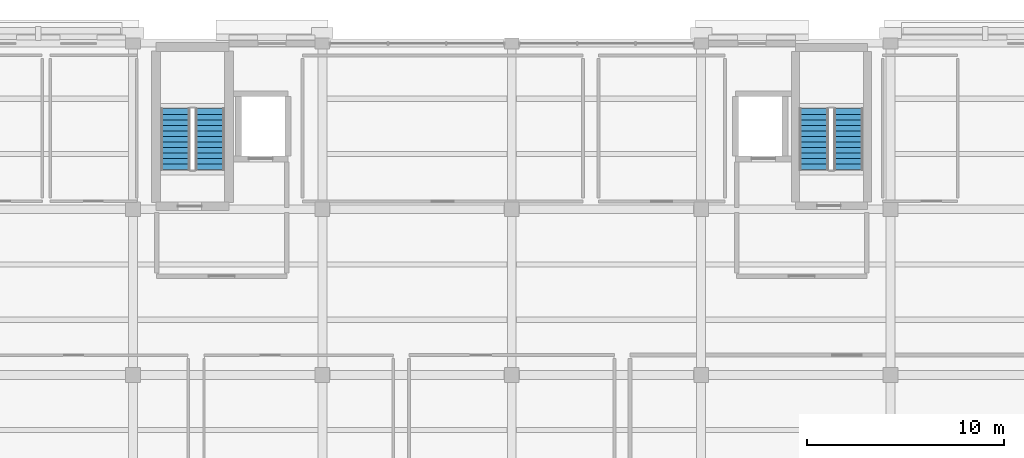
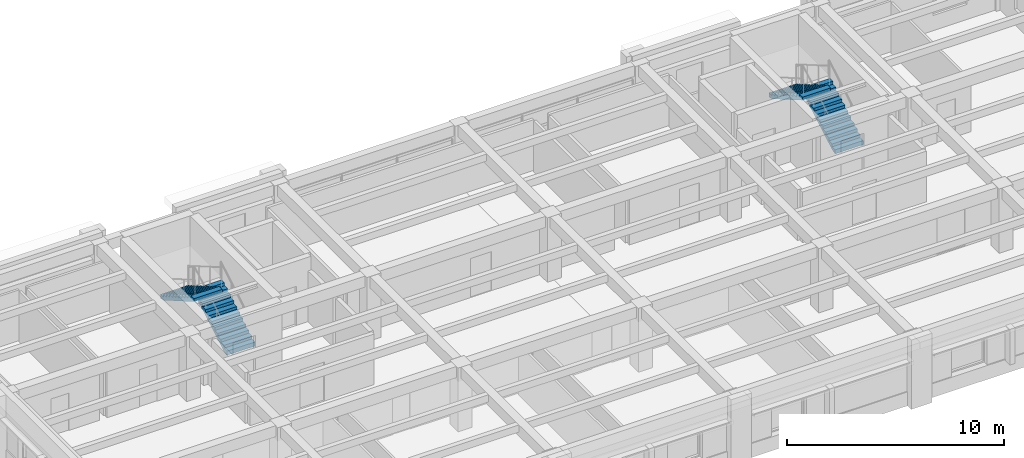
# One storey, part 8 of 12: 4 stair flights, 2 elements without a shape of their own.
"""IFC4 building model written with IfcOpenShell, lengths in metres."""

from ifc_helpers import new_model, si_unit, direction, frame, origin, place, context, subcontext, project, spatial, polyline, outline, extrude, material, type_object, element, aggregate, save


model = new_model("IFC4")

# Units and contexts
model_context = context("Model", 3, precision=1e-05, world=origin(), true_north=direction((0.0, 1.0)))
body_context = subcontext(model_context, "Body", "Model", "MODEL_VIEW")
ifc_project = project(units=[si_unit("LENGTHUNIT", "METRE"), si_unit("AREAUNIT", "SQUARE_METRE"), si_unit("VOLUMEUNIT", "CUBIC_METRE"), si_unit("PLANEANGLEUNIT", "RADIAN"), si_unit("MASSUNIT", "GRAM", prefix="KILO")], contexts=[model_context])

# Site, building, storey
site_placement = place(None, origin())
site = spatial("IfcSite", under=ifc_project, at=site_placement, CompositionType="ELEMENT")
building_placement = place(site_placement, origin())
building = spatial("IfcBuilding", under=site, at=building_placement, Name="Bempovik Park Faculty of Sciences", CompositionType="ELEMENT")
storey_placement = place(building_placement, frame((0.0, 0.0, 34.5)))
storey = spatial("IfcBuildingStorey", under=building, at=storey_placement, Name="L08", CompositionType="ELEMENT", Elevation=34.5)

# Stair, stair flights
ifc_material = material(Name="Concrete C35/45", Category="concrete")
stair_type = type_object("IfcStairType", Name="ST-17 Stair W1500 H3900", PredefinedType="HALF_TURN_STAIR", material=ifc_material)
stair_1_placement = place(storey_placement, origin())
stair_1 = element("IfcStair", 1, at=stair_1_placement, inside=storey, type_object=stair_type, Name="L08 ST-1 Dog-Leg Exit Stair", PredefinedType="HALF_TURN_STAIR")
stair_flight_type = type_object("IfcStairFlightType", Name="FL-16 Flight W1500 H3900", PredefinedType="STRAIGHT", material=ifc_material)
stair_flight_1_placement = place(storey_placement, frame((73.5, 113.0, 0.0), z_axis=(0.0, 0.0, 1.0), x_axis=(0.0, 1.0, 0.0)))
stair_flight_1 = element("IfcStairFlight", 2, at=stair_flight_1_placement, type_object=stair_flight_type, Name="ST-17 flight 1", NumberOfRisers=12, NumberOfTreads=11, PredefinedType="STRAIGHT", RiserHeight=0.1625, TreadLength=0.28125, context=body_context, shape_type="SweptSolid", body=[
    extrude(outline(polyline([(0.0, 0.0), (0.0, 0.16259765625), (0.28125, 0.16259765625), (0.28125, 0.324951171875), (0.5625, 0.324951171875), (0.5625, 0.487548828125), (0.84375, 0.487548828125), (0.84375, 0.64990234375), (1.125, 0.64990234375), (1.125, 0.8125), (1.40625, 0.8125), (1.40625, 0.97509765625), (1.6875, 0.97509765625), (1.6875, 1.137451171875), (1.96875, 1.137451171875), (1.96875, 1.300048828125), (2.25, 1.300048828125), (2.25, 1.46240234375), (2.53125, 1.46240234375), (2.53125, 1.625), (2.8125, 1.625), (2.8125, 1.78759765625), (3.09375, 1.78759765625), (3.09375, 1.949951171875), (3.09375, 1.6142578125), (0.299560546875, 0.0), (0.0625, -0.0625), (0.0, -0.0625), (0.0, 0.0)])), frame((0.0, 0.75, 0.0), z_axis=(0.0, -1.0, 0.0), x_axis=(1.0, 0.0, 0.0)), (0.0, 0.0, 1.0), 1.5),
])
stair_flight_2_placement = place(storey_placement, frame((71.75, 116.09375, 1.949951171875), z_axis=(0.0, 0.0, 1.0), x_axis=(0.0, -1.0, 0.0)))
stair_flight_2 = element("IfcStairFlight", 3, at=stair_flight_2_placement, type_object=stair_flight_type, Name="ST-17 flight 2", NumberOfRisers=12, NumberOfTreads=11, PredefinedType="STRAIGHT", RiserHeight=0.1625, TreadLength=0.28125, context=body_context, shape_type="SweptSolid", body=[
    extrude(outline(polyline([(0.0, 0.0), (0.0, 0.16259765625), (0.28125, 0.16259765625), (0.28125, 0.324951171875), (0.5625, 0.324951171875), (0.5625, 0.487548828125), (0.84375, 0.487548828125), (0.84375, 0.64990234375), (1.125, 0.64990234375), (1.125, 0.8125), (1.40625, 0.8125), (1.40625, 0.97509765625), (1.6875, 0.97509765625), (1.6875, 1.137451171875), (1.96875, 1.137451171875), (1.96875, 1.300048828125), (2.25, 1.300048828125), (2.25, 1.46240234375), (2.53125, 1.46240234375), (2.53125, 1.625), (2.8125, 1.625), (2.8125, 1.78759765625), (3.09375, 1.78759765625), (3.09375, 1.949951171875), (3.09375, 1.6142578125), (0.299560546875, 0.0), (0.0625, -0.0625), (0.0, -0.0625), (0.0, 0.0)])), frame((0.0, 0.75, 0.0), z_axis=(0.0, -1.0, 0.0), x_axis=(1.0, 0.0, 0.0)), (0.0, 0.0, 1.0), 1.5),
])
aggregate(stair_1, [stair_flight_1, stair_flight_2])

stair_2_placement = place(storey_placement, origin())
stair_2 = element("IfcStair", 4, at=stair_2_placement, inside=storey, type_object=stair_type, Name="L08 ST-2 Dog-Leg Exit Stair", PredefinedType="HALF_TURN_STAIR")
stair_flight_3_placement = place(storey_placement, frame((105.875, 113.0, 0.0), z_axis=(0.0, 0.0, 1.0), x_axis=(0.0, 1.0, 0.0)))
stair_flight_3 = element("IfcStairFlight", 5, at=stair_flight_3_placement, type_object=stair_flight_type, Name="ST-17 flight 1", NumberOfRisers=12, NumberOfTreads=11, PredefinedType="STRAIGHT", RiserHeight=0.1625, TreadLength=0.28125, context=body_context, shape_type="SweptSolid", body=[
    extrude(outline(polyline([(0.0, 0.0), (0.0, 0.16259765625), (0.28125, 0.16259765625), (0.28125, 0.324951171875), (0.5625, 0.324951171875), (0.5625, 0.487548828125), (0.84375, 0.487548828125), (0.84375, 0.64990234375), (1.125, 0.64990234375), (1.125, 0.8125), (1.40625, 0.8125), (1.40625, 0.97509765625), (1.6875, 0.97509765625), (1.6875, 1.137451171875), (1.96875, 1.137451171875), (1.96875, 1.300048828125), (2.25, 1.300048828125), (2.25, 1.46240234375), (2.53125, 1.46240234375), (2.53125, 1.625), (2.8125, 1.625), (2.8125, 1.78759765625), (3.09375, 1.78759765625), (3.09375, 1.949951171875), (3.09375, 1.6142578125), (0.299560546875, 0.0), (0.0625, -0.0625), (0.0, -0.0625), (0.0, 0.0)])), frame((0.0, 0.75, 0.0), z_axis=(0.0, -1.0, 0.0), x_axis=(1.0, 0.0, 0.0)), (0.0, 0.0, 1.0), 1.5),
])
stair_flight_4_placement = place(storey_placement, frame((104.125, 116.09375, 1.949951171875), z_axis=(0.0, 0.0, 1.0), x_axis=(0.0, -1.0, 0.0)))
stair_flight_4 = element("IfcStairFlight", 6, at=stair_flight_4_placement, type_object=stair_flight_type, Name="ST-17 flight 2", NumberOfRisers=12, NumberOfTreads=11, PredefinedType="STRAIGHT", RiserHeight=0.1625, TreadLength=0.28125, context=body_context, shape_type="SweptSolid", body=[
    extrude(outline(polyline([(0.0, 0.0), (0.0, 0.16259765625), (0.28125, 0.16259765625), (0.28125, 0.324951171875), (0.5625, 0.324951171875), (0.5625, 0.487548828125), (0.84375, 0.487548828125), (0.84375, 0.64990234375), (1.125, 0.64990234375), (1.125, 0.8125), (1.40625, 0.8125), (1.40625, 0.97509765625), (1.6875, 0.97509765625), (1.6875, 1.137451171875), (1.96875, 1.137451171875), (1.96875, 1.300048828125), (2.25, 1.300048828125), (2.25, 1.46240234375), (2.53125, 1.46240234375), (2.53125, 1.625), (2.8125, 1.625), (2.8125, 1.78759765625), (3.09375, 1.78759765625), (3.09375, 1.949951171875), (3.09375, 1.6142578125), (0.299560546875, 0.0), (0.0625, -0.0625), (0.0, -0.0625), (0.0, 0.0)])), frame((0.0, 0.75, 0.0), z_axis=(0.0, -1.0, 0.0), x_axis=(1.0, 0.0, 0.0)), (0.0, 0.0, 1.0), 1.5),
])
aggregate(stair_2, [stair_flight_3, stair_flight_4])

save(model, "model.ifc")
